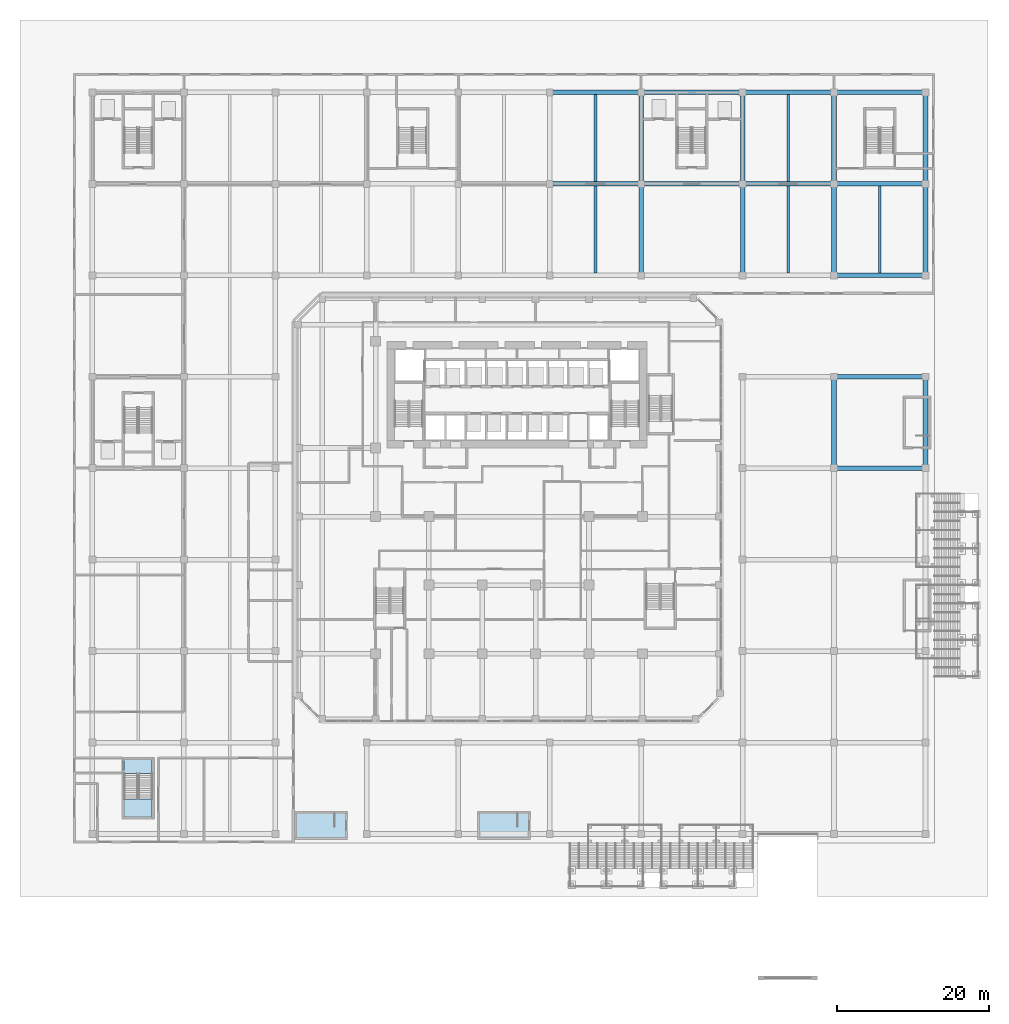
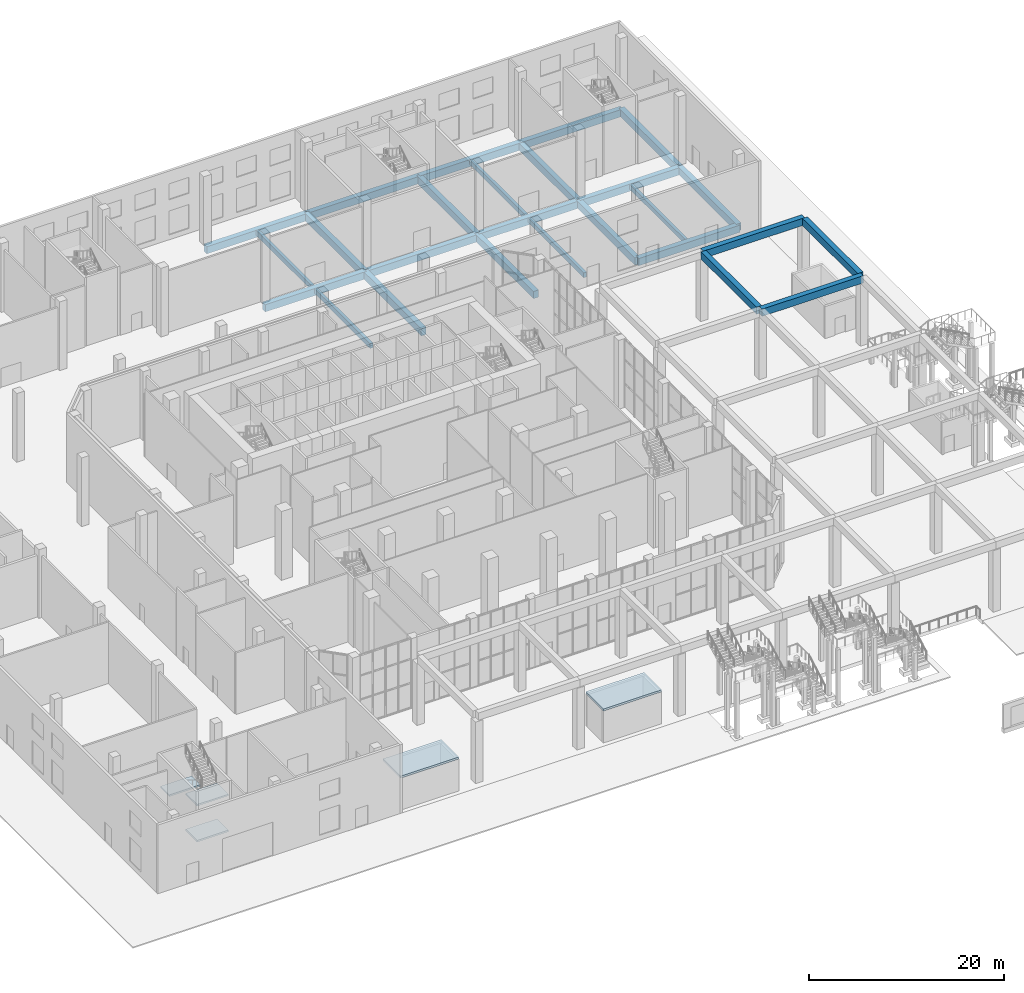
# One storey, part 13 of 43: 26 beams, 5 slabs, 1 element without a shape of its own.
"""IFC4 building model written with IfcOpenShell, lengths in metres."""

from ifc_helpers import new_model, si_unit, direction, frame, origin, origin_2d, place, context, subcontext, project, spatial, polyline, rectangle, outline, extrude, source, transform, mapped, material, layer, layer_set, material_profile, profile_set, type_object, element, aggregate, save


model = new_model("IFC4")

# Units and contexts
model_context = context("Model", 3, precision=1e-05, world=origin(), true_north=direction((0.0, 1.0)))
body_context = subcontext(model_context, "Body", "Model", "MODEL_VIEW")
ifc_project = project(units=[si_unit("LENGTHUNIT", "METRE"), si_unit("AREAUNIT", "SQUARE_METRE"), si_unit("VOLUMEUNIT", "CUBIC_METRE"), si_unit("PLANEANGLEUNIT", "RADIAN"), si_unit("MASSUNIT", "GRAM", prefix="KILO")], contexts=[model_context])

# Site, building, storey
site_placement = place(None, origin())
site = spatial("IfcSite", under=ifc_project, at=site_placement, CompositionType="ELEMENT")
building_placement = place(site_placement, origin())
building = spatial("IfcBuilding", under=site, at=building_placement, Name="Kilnfold Tower and Market Hall", CompositionType="ELEMENT")
storey_placement = place(building_placement, origin())
storey = spatial("IfcBuildingStorey", under=building, at=storey_placement, Name="L00", CompositionType="ELEMENT", Elevation=0.0)

# Beams
ifc_material_1 = material(Name="Concrete C40/50", Category="concrete")
ifc_material_profile_1 = material_profile(ifc_material_1, rectangle(XDim=0.60009765625, YDim=0.89990234375, at=origin_2d()), Name="RC 600x900")
ifc_profile_set_1 = profile_set([ifc_material_profile_1], Name="Concrete C40/50")
beam_type_1 = type_object("IfcBeamType", Name="HALL GIRDER 600X900", PredefinedType="BEAM", material=ifc_profile_set_1)
for number, where, z_axis, x_axis, name in (
    (1, (5.35009765625, 42.64990234375, -0.860107421875), (1.0, 0.0, 0.0), (0.0, 1.0, 0.0), "Beam MG1.59"),
    (2, (5.35009765625, 54.64990234375, -0.860107421875), (1.0, 0.0, 0.0), (0.0, 1.0, 0.0), "Beam MG1.60"),
    (3, (17.35009765625, 30.64990234375, -0.860107421875), (0.0, 1.0, 0.0), (-1.0, 0.0, 0.0), "Beam MG1.61"),
    (4, (17.35009765625, 42.64990234375, -0.860107421875), (0.0, 1.0, 0.0), (-1.0, 0.0, 0.0), "Beam MG1.63"),
):
    element("IfcBeam", number, at=place(storey_placement, frame(where, z_axis=z_axis, x_axis=x_axis)), inside=storey, type_object=beam_type_1, Name=name, PredefinedType="BEAM", context=body_context, shape_type="SweptSolid", body=[
        extrude(rectangle(XDim=0.60009765625, YDim=0.89990234375, at=origin_2d()), origin(), (0.0, 0.0, 1.0), 12.0),
    ])
for number, where, z_axis, x_axis, name in (
    (5, (17.35009765625, 42.64990234375, -0.860107421875), (1.0, 0.0, 0.0), (0.0, 1.0, 0.0), "Beam MG1.64"),
    (6, (17.35009765625, 54.64990234375, -0.860107421875), (1.0, 0.0, 0.0), (0.0, 1.0, 0.0), "Beam MG1.65"),
):
    element("IfcBeam", number, at=place(storey_placement, frame(where, z_axis=z_axis, x_axis=x_axis)), inside=storey, type_object=beam_type_1, Name=name, PredefinedType="BEAM", context=body_context, shape_type="SweptSolid", body=[
        extrude(rectangle(XDim=0.60009765625, YDim=0.89990234375, at=origin_2d()), origin(), (0.0, 0.0, 1.0), 13.2998046875),
    ])
for number, where, z_axis, x_axis, name in (
    (7, (30.64990234375, 30.64990234375, -0.860107421875), (0.0, 1.0, 0.0), (-1.0, 0.0, 0.0), "Beam MG1.66"),
    (8, (30.64990234375, 42.64990234375, -0.860107421875), (0.0, 1.0, 0.0), (-1.0, 0.0, 0.0), "Beam MG1.68"),
    (9, (30.64990234375, 42.64990234375, -0.860107421875), (1.0, 0.0, 0.0), (0.0, 1.0, 0.0), "Beam MG1.69"),
    (10, (30.64990234375, 54.64990234375, -0.860107421875), (1.0, 0.0, 0.0), (0.0, 1.0, 0.0), "Beam MG1.70"),
    (11, (42.64990234375, 30.64990234375, -0.860107421875), (0.0, 1.0, 0.0), (-1.0, 0.0, 0.0), "Beam MG1.71"),
    (12, (42.64990234375, 30.64990234375, -0.860107421875), (1.0, 0.0, 0.0), (0.0, 1.0, 0.0), "Beam MG1.72"),
    (13, (42.64990234375, 42.64990234375, -0.860107421875), (0.0, 1.0, 0.0), (-1.0, 0.0, 0.0), "Beam MG1.73"),
    (14, (42.64990234375, 42.64990234375, -0.860107421875), (1.0, 0.0, 0.0), (0.0, 1.0, 0.0), "Beam MG1.74"),
    (15, (42.64990234375, 54.64990234375, -0.860107421875), (1.0, 0.0, 0.0), (0.0, 1.0, 0.0), "Beam MG1.75"),
    (16, (54.64990234375, 30.64990234375, -0.860107421875), (0.0, 1.0, 0.0), (-1.0, 0.0, 0.0), "Beam MG1.76"),
    (17, (54.64990234375, 42.64990234375, -0.860107421875), (0.0, 1.0, 0.0), (-1.0, 0.0, 0.0), "Beam MG1.77"),
):
    element("IfcBeam", number, at=place(storey_placement, frame(where, z_axis=z_axis, x_axis=x_axis)), inside=storey, type_object=beam_type_1, Name=name, PredefinedType="BEAM", context=body_context, shape_type="SweptSolid", body=[
        extrude(rectangle(XDim=0.60009765625, YDim=0.89990234375, at=origin_2d()), origin(), (0.0, 0.0, 1.0), 12.0),
    ])
ifc_material_2 = material(Name="Concrete C40/50", Category="concrete")
ifc_material_profile_2 = material_profile(ifc_material_2, rectangle(XDim=0.35009765625, YDim=0.60009765625, at=origin_2d()), Name="RC 350x600")
ifc_profile_set_2 = profile_set([ifc_material_profile_2], Name="Concrete C40/50")
beam_type_2 = type_object("IfcBeamType", Name="HALL JOIST 350X600", PredefinedType="BEAM", material=ifc_profile_set_2)
for number, where, z_axis, x_axis, name in (
    (18, (11.35009765625, 30.949951171875, -0.7099609375), (0.0, 1.0, 0.0), (-1.0, 0.0, 0.0), "Beam MJ1.16"),
    (19, (11.35009765625, 42.949951171875, -0.7099609375), (0.0, 1.0, 0.0), (-1.0, 0.0, 0.0), "Beam MJ1.17"),
    (20, (36.64990234375, 30.949951171875, -0.7099609375), (0.0, 1.0, 0.0), (-1.0, 0.0, 0.0), "Beam MJ1.18"),
    (21, (36.64990234375, 42.949951171875, -0.7099609375), (0.0, 1.0, 0.0), (-1.0, 0.0, 0.0), "Beam MJ1.19"),
    (22, (48.64990234375, 30.949951171875, -0.7099609375), (0.0, 1.0, 0.0), (-1.0, 0.0, 0.0), "Beam MJ1.20"),
):
    element("IfcBeam", number, at=place(storey_placement, frame(where, z_axis=z_axis, x_axis=x_axis)), inside=storey, type_object=beam_type_2, Name=name, PredefinedType="BEAM", context=body_context, shape_type="SweptSolid", body=[
        extrude(rectangle(XDim=0.35009765625, YDim=0.60009765625, at=origin_2d()), origin(), (0.0, 0.0, 1.0), 11.400146484375),
    ])
ifc_material_3 = material(Name="Concrete C40/50", Category="concrete")
ifc_material_profile_3 = material_profile(ifc_material_3, rectangle(XDim=0.60009765625, YDim=0.89990234375, at=origin_2d()), Name="RC 600x900")
ifc_profile_set_3 = profile_set([ifc_material_profile_3], Name="Concrete C40/50")
beam_type_3 = type_object("IfcBeamType", Name="DECK GIRDER 600X900", PredefinedType="BEAM", material=ifc_profile_set_3)
shared_shape_1 = source(origin(), body_context, "Body", "SweptSolid", [
    extrude(rectangle(XDim=0.60009765625, YDim=0.89990234375, at=origin_2d()), origin(), (0.0, 0.0, 1.0), 12.0),
])
for number, where, z_axis, x_axis, name in (
    (23, (42.64990234375, 5.35009765625, 8.14990234375), (1.0, 0.0, 0.0), (0.0, 1.0, 0.0), "Deck girder DG1-18"),
    (24, (42.64990234375, 17.35009765625, 8.14990234375), (1.0, 0.0, 0.0), (0.0, 1.0, 0.0), "Deck girder DG1-20"),
):
    element("IfcBeam", number, at=place(storey_placement, frame(where, z_axis=z_axis, x_axis=x_axis)), inside=storey, type_object=beam_type_3, Name=name, PredefinedType="BEAM", context=body_context, shape_type="MappedRepresentation", body=[
        mapped(shared_shape_1, transform((0.0, 0.0, 0.0))),
    ])
shared_shape_2 = source(origin(), body_context, "Body", "SweptSolid", [
    extrude(rectangle(XDim=0.60009765625, YDim=0.89990234375, at=origin_2d()), origin(), (0.0, 0.0, 1.0), 11.400146484375),
])
for number, where, z_axis, x_axis, name in (
    (25, (42.64990234375, 5.64990234375, 8.14990234375), (0.0, 1.0, 0.0), (-1.0, 0.0, 0.0), "Deck girder DG1-34"),
    (26, (54.64990234375, 5.64990234375, 8.14990234375), (0.0, 1.0, 0.0), (-1.0, 0.0, 0.0), "Deck girder DG1-39"),
):
    element("IfcBeam", number, at=place(storey_placement, frame(where, z_axis=z_axis, x_axis=x_axis)), inside=storey, type_object=beam_type_3, Name=name, PredefinedType="BEAM", context=body_context, shape_type="MappedRepresentation", body=[
        mapped(shared_shape_2, transform((0.0, 0.0, 0.0))),
    ])

# Stair, slabs
ifc_material_4 = material(Name="Concrete C40/50", Category="concrete")
stair_type = type_object("IfcStairType", Name="HALL STAIR", PredefinedType="HALF_TURN_STAIR", material=ifc_material_4)
stair_placement = place(storey_placement, origin())
stair = element("IfcStair", 27, at=stair_placement, inside=storey, type_object=stair_type, Name="L00 MS1", PredefinedType="HALF_TURN_STAIR")
ifc_material_5 = material(Name="Concrete C40/50", Category="concrete")
ifc_layer_1 = layer(ifc_material_5, 0.199951171875)
ifc_layer_set_1 = layer_set([ifc_layer_1], Name="Concrete C40/50")
slab_type_1 = type_object("IfcSlabType", Name="HALL STAIR LANDING", PredefinedType="LANDING", material=ifc_layer_set_1)
shared_shape_3 = source(origin(), body_context, "Body", "SweptSolid", [
    extrude(outline(polyline([(-50.5, -38.06005859375), (-50.5, -40.39990234375), (-46.800048828125, -40.39990234375), (-46.800048828125, -38.06005859375), (-50.5, -38.06005859375)])), origin(), (0.0, 0.0, 1.0), 0.199951171875),
])
slab_1_placement = place(storey_placement, frame((0.0, 0.0, 2.050048828125)))
slab_1 = element("IfcSlab", 28, at=slab_1_placement, type_object=slab_type_1, Name="MS1 landing 1", PredefinedType="LANDING", context=body_context, shape_type="MappedRepresentation", body=[
    mapped(shared_shape_3, transform((0.0, 0.0, 0.0))),
])
slab_2_placement = place(storey_placement, frame((0.0, 0.0, 6.550048828125)))
slab_2 = element("IfcSlab", 29, at=slab_2_placement, type_object=slab_type_1, Name="MS1 landing 3", PredefinedType="LANDING", context=body_context, shape_type="MappedRepresentation", body=[
    mapped(shared_shape_3, transform((0.0, 0.0, 0.0))),
])
shared_shape_4 = source(origin(), body_context, "Body", "SweptSolid", [
    extrude(outline(polyline([(-50.5, -32.89990234375), (-50.5, -34.699951171875), (-46.800048828125, -34.699951171875), (-46.800048828125, -32.89990234375), (-50.5, -32.89990234375)])), origin(), (0.0, 0.0, 1.0), 0.199951171875),
])
slab_3_placement = place(storey_placement, frame((0.0, 0.0, 4.300048828125)))
slab_3 = element("IfcSlab", 30, at=slab_3_placement, type_object=slab_type_1, Name="MS1 landing 2", PredefinedType="LANDING", context=body_context, shape_type="MappedRepresentation", body=[
    mapped(shared_shape_4, transform((0.0, 0.0, 0.0))),
])
aggregate(stair, [slab_1, slab_3, slab_2])

# Slabs
ifc_material_6 = material(Name="Concrete C40/50", Category="concrete")
ifc_layer_2 = layer(ifc_material_6, 0.25)
ifc_layer_set_2 = layer_set([ifc_layer_2], Name="Concrete C40/50")
slab_type_2 = type_object("IfcSlabType", Name="CAR PARK STAIR HEAD SLAB 250", PredefinedType="ROOF", material=ifc_layer_set_2)
shared_shape_5 = source(origin(), body_context, "Body", "SweptSolid", [
    extrude(outline(polyline([(-28.10009765625, -43.35009765625), (-21.199951171875, -43.35009765625), (-21.199951171875, -39.75), (-28.10009765625, -39.75), (-28.10009765625, -43.35009765625)])), origin(), (0.0, 0.0, 1.0), 0.25),
])
slab_4_placement = place(storey_placement, frame((0.0, 0.0, 4.0)))
element("IfcSlab", 31, at=slab_4_placement, inside=storey, type_object=slab_type_2, Name="Stair CS1 head slab", PredefinedType="ROOF", context=body_context, shape_type="MappedRepresentation", body=[
    mapped(shared_shape_5, transform((0.0, 0.0, 0.0))),
])
shared_shape_6 = source(origin(), body_context, "Body", "SweptSolid", [
    extrude(outline(polyline([(-4.10009765625, -43.35009765625), (2.800048828125, -43.35009765625), (2.800048828125, -39.75), (-4.10009765625, -39.75), (-4.10009765625, -43.35009765625)])), origin(), (0.0, 0.0, 1.0), 0.25),
])
slab_5_placement = place(storey_placement, frame((0.0, 0.0, 4.0)))
element("IfcSlab", 32, at=slab_5_placement, inside=storey, type_object=slab_type_2, Name="Stair CS2 head slab", PredefinedType="ROOF", context=body_context, shape_type="MappedRepresentation", body=[
    mapped(shared_shape_6, transform((0.0, 0.0, 0.0))),
])

save(model, "model.ifc")
